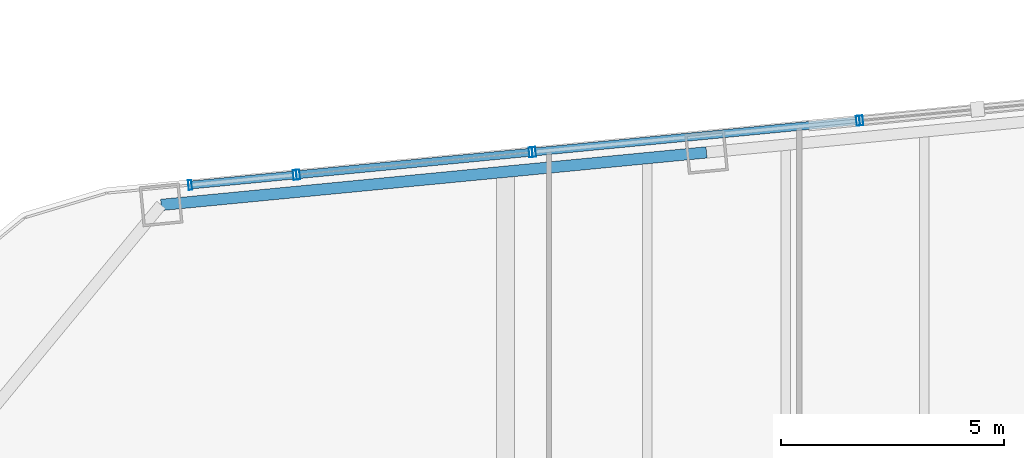
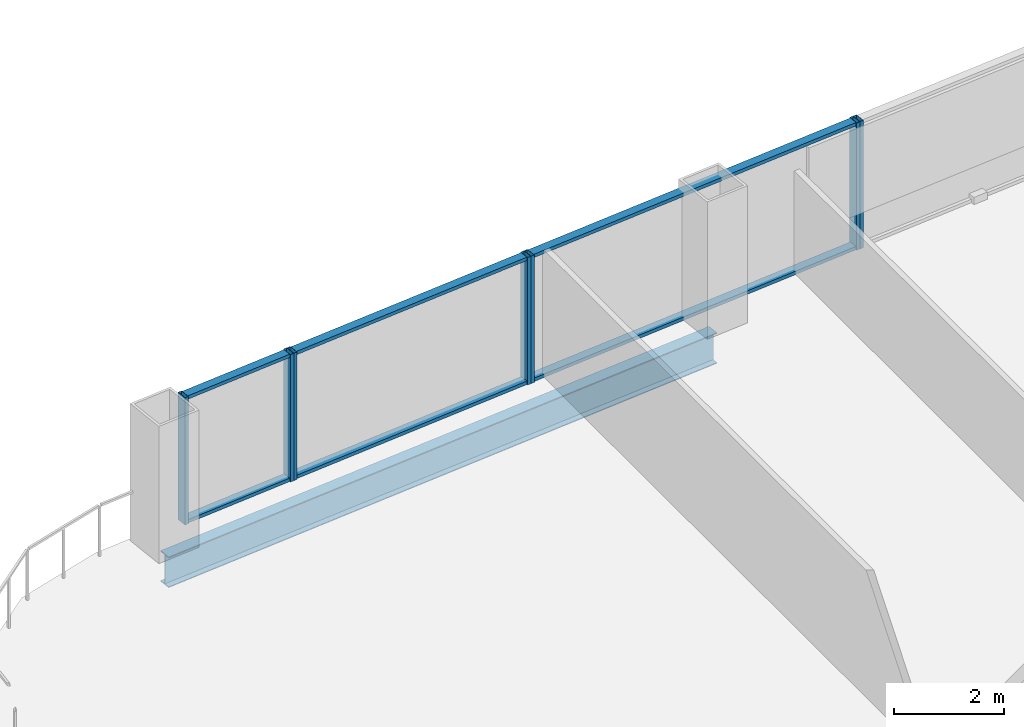
# One storey, part 16 of 27: 13 members, 1 beam, 4 elements without a shape of their own.
"""IFC4 building model written with IfcOpenShell, lengths in metres."""

from ifc_helpers import new_model, si_unit, direction, frame, origin, origin_2d, place, context, subcontext, project, spatial, hollow_rectangle, i_section, extrude, material, layer, layer_set, material_profile, profile_set, type_object, element, aggregate, save


model = new_model("IFC4")

# Units and contexts
model_context = context("Model", 3, precision=1e-05, world=origin(), true_north=direction((0.0, 1.0)))
body_context = subcontext(model_context, "Body", "Model", "MODEL_VIEW")
ifc_project = project(units=[si_unit("LENGTHUNIT", "METRE"), si_unit("AREAUNIT", "SQUARE_METRE"), si_unit("VOLUMEUNIT", "CUBIC_METRE"), si_unit("PLANEANGLEUNIT", "RADIAN"), si_unit("MASSUNIT", "GRAM", prefix="KILO")], contexts=[model_context])

# Site, building, storey
site_placement = place(None, origin())
site = spatial("IfcSite", under=ifc_project, at=site_placement, CompositionType="ELEMENT")
building_placement = place(site_placement, origin())
building = spatial("IfcBuilding", under=site, at=building_placement, Name="Qhalaya Broadcast Tower", CompositionType="ELEMENT")
storey_placement = place(building_placement, frame((0.0, 0.0, 84.699951171875)))
storey = spatial("IfcBuildingStorey", under=building, at=storey_placement, Name="L24", CompositionType="ELEMENT", Elevation=84.699951171875)

# Beam
ifc_material_1 = material(Name="Structural Steel ASTM A992 Grade 50", Category="steel")
ifc_material_profile_1 = material_profile(ifc_material_1, i_section(OverallWidth=0.25390625, OverallDepth=0.68310546875, WebThickness=0.012451171875, FlangeThickness=0.01904296875, at=origin_2d()), Name="W27X94")
ifc_profile_set_1 = profile_set([ifc_material_profile_1], Name="Structural Steel ASTM A992 Grade 50")
beam_type = type_object("IfcBeamType", Name="Perimeter Ring Spandrel Beam SP1", PredefinedType="SPANDREL", material=ifc_profile_set_1)
beam_placement = place(storey_placement, frame((-4.875, 26.941162109375, -0.5615234375), z_axis=(-0.99539563662, -0.095851586307, 0.0), x_axis=(0.095851586307, -0.99539563662, 0.0)))
element("IfcBeam", 1, at=beam_placement, inside=storey, type_object=beam_type, Name="L24 SP1 L24-SPR-11", PredefinedType="SPANDREL", context=body_context, shape_type="SweptSolid", body=[
    extrude(i_section(OverallWidth=0.25390625, OverallDepth=0.68310546875, WebThickness=0.012451171875, FlangeThickness=0.01904296875, at=origin_2d()), origin(), (0.0, 0.0, 1.0), 12.2666015625),
])

# Curtain wall, member
ifc_material_2 = material(Name="Solar-Control Low-E Triple Glazing", Category="glass")
ifc_layer_1 = layer(ifc_material_2, 0.219970703125, Name="Solar-Control Low-E Triple Glazing")
ifc_layer_set_1 = layer_set([ifc_layer_1], Name="Solar-Control Low-E Triple Glazing")
curtain_wall_type_1 = type_object("IfcCurtainWallType", Name="Even-Block 4-Storey Double-Module Curtain Wall CW-03", PredefinedType="NOTDEFINED", material=ifc_layer_set_1)
curtain_wall_1_placement = place(storey_placement, origin())
curtain_wall_1 = element("IfcCurtainWall", 2, at=curtain_wall_1_placement, inside=storey, type_object=curtain_wall_type_1, Name="L24 Unitised Curtain Wall L24-CW-N4", PredefinedType="NOTDEFINED")
ifc_material_3 = material(Name="Anodised Aluminium 6063-T6", Category="aluminium")
ifc_material_profile_2 = material_profile(ifc_material_3, hollow_rectangle(XDim=0.074951171875, YDim=0.219970703125, WallThickness=0.00390625, at=origin_2d()), Name="ALU-MUL 75x220x4")
ifc_profile_set_2 = profile_set([ifc_material_profile_2], Name="Anodised Aluminium 6063-T6")
member_type_1 = type_object("IfcMemberType", Name="Unitised Curtain-Wall Mullion M01", PredefinedType="MULLION", material=ifc_profile_set_2)
member_1_placement = place(storey_placement, frame((-1.40966796875, 27.656494140625, 0.0), z_axis=(0.0, 0.0, 1.0), x_axis=(-0.995395483385, -0.095853177608, 0.0)))
member_1 = element("IfcMember", 3, at=member_1_placement, type_object=member_type_1, Name="CW-03 mullion 2", PredefinedType="MULLION", context=body_context, shape_type="SweptSolid", body=[
    extrude(hollow_rectangle(XDim=0.074951171875, YDim=0.219970703125, WallThickness=0.00390625, at=origin_2d()), origin(), (0.0, 0.0, 1.0), 2.830078125),
])
aggregate(curtain_wall_1, [member_1])

# Curtain wall, members
ifc_material_4 = material(Name="Fired Architectural Terracotta", Category="masonry")
ifc_layer_2 = layer(ifc_material_4, 0.219970703125, Name="Fired Architectural Terracotta")
ifc_layer_set_2 = layer_set([ifc_layer_2], Name="Fired Architectural Terracotta")
curtain_wall_type_2 = type_object("IfcCurtainWallType", Name="Block-Cap Unitised Terracotta Spandrel Wall CW-07", PredefinedType="NOTDEFINED", material=ifc_layer_set_2)
curtain_wall_2_placement = place(storey_placement, origin())
curtain_wall_2 = element("IfcCurtainWall", 4, at=curtain_wall_2_placement, inside=storey, type_object=curtain_wall_type_2, Name="L24 Unitised Curtain Wall L24-CW-N5", PredefinedType="NOTDEFINED")
member_2_placement = place(storey_placement, frame((-1.484375, 27.6494140625, 0.0), z_axis=(0.0, 0.0, 1.0), x_axis=(-0.995396450907, -0.095843129762, 0.0)))
member_2 = element("IfcMember", 5, at=member_2_placement, type_object=member_type_1, Name="CW-07 mullion 1", PredefinedType="MULLION", context=body_context, shape_type="SweptSolid", body=[
    extrude(hollow_rectangle(XDim=0.074951171875, YDim=0.219970703125, WallThickness=0.00390625, at=origin_2d()), origin(), (0.0, 0.0, 1.0), 2.830078125),
])
member_3_placement = place(storey_placement, frame((-8.73681640625, 26.951171875, 0.0), z_axis=(0.0, 0.0, 1.0), x_axis=(-0.995396450907, -0.095843129762, 0.0)))
member_3 = element("IfcMember", 6, at=member_3_placement, type_object=member_type_1, Name="CW-07 mullion 2", PredefinedType="MULLION", context=body_context, shape_type="SweptSolid", body=[
    extrude(hollow_rectangle(XDim=0.074951171875, YDim=0.219970703125, WallThickness=0.00390625, at=origin_2d()), origin(), (0.0, 0.0, 1.0), 2.830078125),
])

curtain_wall_3_placement = place(storey_placement, origin())
curtain_wall_3 = element("IfcCurtainWall", 7, at=curtain_wall_3_placement, inside=storey, type_object=curtain_wall_type_1, Name="L24 Unitised Curtain Wall L24-CW-N6", PredefinedType="NOTDEFINED")
member_4_placement = place(storey_placement, frame((-8.8115234375, 26.94384765625, 0.0), z_axis=(0.0, 0.0, 1.0), x_axis=(-0.995395549991, -0.095852485923, 0.0)))
member_4 = element("IfcMember", 8, at=member_4_placement, type_object=member_type_1, Name="CW-03 mullion 1", PredefinedType="MULLION", context=body_context, shape_type="SweptSolid", body=[
    extrude(hollow_rectangle(XDim=0.074951171875, YDim=0.219970703125, WallThickness=0.00390625, at=origin_2d()), origin(), (0.0, 0.0, 1.0), 2.830078125),
])
member_5_placement = place(storey_placement, frame((-14.017578125, 26.442626953125, 0.0), z_axis=(0.0, 0.0, 1.0), x_axis=(-0.995395549991, -0.095852485923, 0.0)))
member_5 = element("IfcMember", 9, at=member_5_placement, type_object=member_type_1, Name="CW-03 mullion 2", PredefinedType="MULLION", context=body_context, shape_type="SweptSolid", body=[
    extrude(hollow_rectangle(XDim=0.074951171875, YDim=0.219970703125, WallThickness=0.00390625, at=origin_2d()), origin(), (0.0, 0.0, 1.0), 2.830078125),
])

curtain_wall_4_placement = place(storey_placement, origin())
curtain_wall_4 = element("IfcCurtainWall", 10, at=curtain_wall_4_placement, inside=storey, type_object=curtain_wall_type_2, Name="L24 Unitised Curtain Wall L24-CW-N7", PredefinedType="NOTDEFINED")
member_6_placement = place(storey_placement, frame((-14.092041015625, 26.435302734375, 0.0), z_axis=(0.0, 0.0, 1.0), x_axis=(-0.99539620774, -0.09584565518, 0.0)))
member_6 = element("IfcMember", 11, at=member_6_placement, type_object=member_type_1, Name="CW-07 mullion 1", PredefinedType="MULLION", context=body_context, shape_type="SweptSolid", body=[
    extrude(hollow_rectangle(XDim=0.074951171875, YDim=0.219970703125, WallThickness=0.00390625, at=origin_2d()), origin(), (0.0, 0.0, 1.0), 2.830078125),
])
member_7_placement = place(storey_placement, frame((-16.437255859375, 26.20947265625, 0.0), z_axis=(0.0, 0.0, 1.0), x_axis=(-0.99539620774, -0.09584565518, 0.0)))
member_7 = element("IfcMember", 12, at=member_7_placement, type_object=member_type_1, Name="CW-07 mullion 2", PredefinedType="MULLION", context=body_context, shape_type="SweptSolid", body=[
    extrude(hollow_rectangle(XDim=0.074951171875, YDim=0.219970703125, WallThickness=0.00390625, at=origin_2d()), origin(), (0.0, 0.0, 1.0), 2.830078125),
])

# Member
ifc_material_profile_3 = material_profile(ifc_material_3, hollow_rectangle(XDim=0.074951171875, YDim=0.179931640625, WallThickness=0.00390625, at=origin_2d()), Name="ALU-TRN 75x180x4")
ifc_profile_set_3 = profile_set([ifc_material_profile_3], Name="Anodised Aluminium 6063-T6")
member_type_2 = type_object("IfcMemberType", Name="Unitised Curtain-Wall Transom T01", PredefinedType="USERDEFINED", material=ifc_profile_set_3)
member_8_placement = place(storey_placement, frame((-1.521728515625, 27.645751953125, 0.03759765625), z_axis=(-0.995395868945, -0.095849173639, 0.0), x_axis=(0.0, 0.0, 1.0)))
member_8 = element("IfcMember", 13, at=member_8_placement, type_object=member_type_2, Name="CW-07 transom 1.1", ObjectType="TRANSOM", PredefinedType="USERDEFINED", context=body_context, shape_type="SweptSolid", body=[
    extrude(hollow_rectangle(XDim=0.074951171875, YDim=0.179931640625, WallThickness=0.00390625, at=origin_2d()), origin(), (0.0, 0.0, 1.0), 7.2109375),
])

member_9_placement = place(storey_placement, frame((-1.521728515625, 27.645751953125, 2.79248046875), z_axis=(-0.995395868945, -0.095849173639, 0.0), x_axis=(0.0, 0.0, 1.0)))
member_9 = element("IfcMember", 14, at=member_9_placement, type_object=member_type_2, Name="CW-07 transom 1.2", ObjectType="TRANSOM", PredefinedType="USERDEFINED", context=body_context, shape_type="SweptSolid", body=[
    extrude(hollow_rectangle(XDim=0.074951171875, YDim=0.179931640625, WallThickness=0.00390625, at=origin_2d()), origin(), (0.0, 0.0, 1.0), 7.2109375),
])

aggregate(curtain_wall_2, [member_2, member_3, member_8, member_9])

member_10_placement = place(storey_placement, frame((-8.848876953125, 26.9404296875, 0.03759765625), z_axis=(-0.995395309195, -0.095854986479, 0.0), x_axis=(0.0, 0.0, 1.0)))
member_10 = element("IfcMember", 15, at=member_10_placement, type_object=member_type_2, Name="CW-03 transom 1.1", ObjectType="TRANSOM", PredefinedType="USERDEFINED", context=body_context, shape_type="SweptSolid", body=[
    extrude(hollow_rectangle(XDim=0.074951171875, YDim=0.179931640625, WallThickness=0.00390625, at=origin_2d()), origin(), (0.0, 0.0, 1.0), 5.155029296875),
])

member_11_placement = place(storey_placement, frame((-8.848876953125, 26.9404296875, 2.79248046875), z_axis=(-0.995395309195, -0.095854986479, 0.0), x_axis=(0.0, 0.0, 1.0)))
member_11 = element("IfcMember", 16, at=member_11_placement, type_object=member_type_2, Name="CW-03 transom 1.2", ObjectType="TRANSOM", PredefinedType="USERDEFINED", context=body_context, shape_type="SweptSolid", body=[
    extrude(hollow_rectangle(XDim=0.074951171875, YDim=0.179931640625, WallThickness=0.00390625, at=origin_2d()), origin(), (0.0, 0.0, 1.0), 5.155029296875),
])

aggregate(curtain_wall_3, [member_4, member_5, member_10, member_11])

member_12_placement = place(storey_placement, frame((-14.12939453125, 26.431884765625, 0.03759765625), z_axis=(-0.995390970233, -0.095900033261, 0.0), x_axis=(0.0, 0.0, 1.0)))
member_12 = element("IfcMember", 17, at=member_12_placement, type_object=member_type_2, Name="CW-07 transom 1.1", ObjectType="TRANSOM", PredefinedType="USERDEFINED", context=body_context, shape_type="SweptSolid", body=[
    extrude(hollow_rectangle(XDim=0.074951171875, YDim=0.179931640625, WallThickness=0.00390625, at=origin_2d()), origin(), (0.0, 0.0, 1.0), 2.281005859375),
])

member_13_placement = place(storey_placement, frame((-14.12939453125, 26.431884765625, 2.79248046875), z_axis=(-0.995390970233, -0.095900033261, 0.0), x_axis=(0.0, 0.0, 1.0)))
member_13 = element("IfcMember", 18, at=member_13_placement, type_object=member_type_2, Name="CW-07 transom 1.2", ObjectType="TRANSOM", PredefinedType="USERDEFINED", context=body_context, shape_type="SweptSolid", body=[
    extrude(hollow_rectangle(XDim=0.074951171875, YDim=0.179931640625, WallThickness=0.00390625, at=origin_2d()), origin(), (0.0, 0.0, 1.0), 2.281005859375),
])

aggregate(curtain_wall_4, [member_6, member_7, member_12, member_13])

save(model, "model.ifc")
